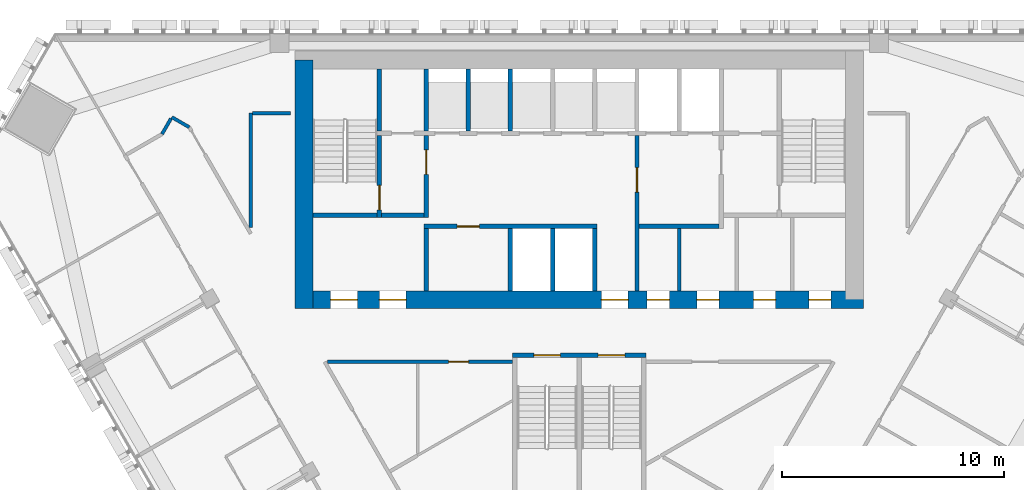
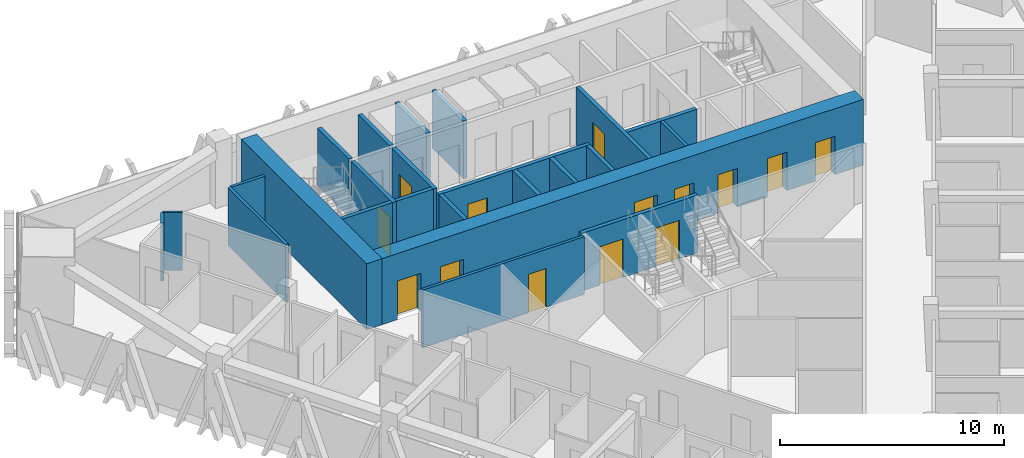
# One storey, part 11 of 16: 24 walls, 14 doors, 14 openings.
"""IFC4 building model written with IfcOpenShell, lengths in metres."""

from ifc_helpers import new_model, si_unit, direction, frame, frame_2d, origin, place, context, subcontext, project, spatial, rectangle, extrude, material, layer, layer_set, type_object, element, fill, save


model = new_model("IFC4")

# Units and contexts
model_context = context("Model", 3, precision=1e-05, world=origin(), true_north=direction((0.0, 1.0)))
body_context = subcontext(model_context, "Body", "Model", "MODEL_VIEW")
ifc_project = project(units=[si_unit("LENGTHUNIT", "METRE"), si_unit("AREAUNIT", "SQUARE_METRE"), si_unit("VOLUMEUNIT", "CUBIC_METRE"), si_unit("PLANEANGLEUNIT", "RADIAN"), si_unit("MASSUNIT", "GRAM", prefix="KILO")], contexts=[model_context])

# Site, building, storey
site_placement = place(None, origin())
site = spatial("IfcSite", under=ifc_project, at=site_placement, CompositionType="ELEMENT")
building_placement = place(site_placement, origin())
building = spatial("IfcBuilding", under=site, at=building_placement, Name="Altiplano Prism Tower", CompositionType="ELEMENT")
storey_placement = place(building_placement, frame((0.0, 0.0, 145.800048828125)))
storey = spatial("IfcBuildingStorey", under=building, at=storey_placement, Name="L37", CompositionType="ELEMENT", Elevation=145.800048828125)

# Wall, openings, doors
ifc_material_1 = material(Name="Concrete C60/75", Category="concrete")
ifc_layer_1 = layer(ifc_material_1, 0.800048828125)
ifc_layer_set_1 = layer_set([ifc_layer_1], Name="Concrete C60/75")
wall_type_1 = type_object("IfcWallType", Name="Core wall 800", PredefinedType="SHEAR", material=ifc_layer_set_1)
wall_1_placement = place(storey_placement, frame((72.60009765625, 93.0, 0.0), z_axis=(0.0, 0.0, 1.0), x_axis=(1.0, 0.0, 0.0)))
wall_1 = element("IfcWall", 1, at=wall_1_placement, inside=storey, type_object=wall_type_1, Name="Core wall S L37", PredefinedType="SHEAR", context=body_context, shape_type="SweptSolid", body=[
    extrude(rectangle(XDim=25.199951171875, YDim=0.800048828125, at=frame_2d((12.60009765625, 0.0))), origin(), (0.0, 0.0, 1.0), 3.599853515625),
])
opening_1_placement = place(wall_1_placement, frame((1.199951171875, 0.0, 0.0)))
opening_1 = element("IfcOpeningElement", 2, at=opening_1_placement, cuts=wall_1, Name="Opening D3087", PredefinedType="OPENING", context=body_context, shape_type="SweptSolid", body=[
    extrude(rectangle(XDim=1.199951171875, YDim=2.10009765625, at=frame_2d((0.60009765625, 1.050048828125))), frame((0.0, 0.41064453125, 0.0), z_axis=(0.0, -1.0, 0.0), x_axis=(1.0, 0.0, 0.0)), (0.0, 0.0, 1.0), 0.821044921875),
])
opening_2_placement = place(wall_1_placement, frame((3.39990234375, 0.0, 0.0)))
opening_2 = element("IfcOpeningElement", 3, at=opening_2_placement, cuts=wall_1, Name="Opening D3088", PredefinedType="OPENING", context=body_context, shape_type="SweptSolid", body=[
    extrude(rectangle(XDim=1.199951171875, YDim=2.10009765625, at=frame_2d((0.60009765625, 1.050048828125))), frame((0.0, 0.41064453125, 0.0), z_axis=(0.0, -1.0, 0.0), x_axis=(1.0, 0.0, 0.0)), (0.0, 0.0, 1.0), 0.821044921875),
])
opening_3_placement = place(wall_1_placement, frame((13.39990234375, 0.0, 0.0)))
opening_3 = element("IfcOpeningElement", 4, at=opening_3_placement, cuts=wall_1, Name="Opening D3089", PredefinedType="OPENING", context=body_context, shape_type="SweptSolid", body=[
    extrude(rectangle(XDim=1.199951171875, YDim=2.10009765625, at=frame_2d((0.60009765625, 1.050048828125))), frame((0.0, 0.41064453125, 0.0), z_axis=(0.0, -1.0, 0.0), x_axis=(1.0, 0.0, 0.0)), (0.0, 0.0, 1.0), 0.821044921875),
])
opening_4_placement = place(wall_1_placement, frame((15.46240234375, 0.0, 0.0)))
opening_4 = element("IfcOpeningElement", 5, at=opening_4_placement, cuts=wall_1, Name="Opening D3092", PredefinedType="OPENING", context=body_context, shape_type="SweptSolid", body=[
    extrude(rectangle(XDim=1.0, YDim=2.10009765625, at=frame_2d((0.5, 1.050048828125))), frame((0.0, 0.41064453125, 0.0), z_axis=(0.0, -1.0, 0.0), x_axis=(1.0, 0.0, 0.0)), (0.0, 0.0, 1.0), 0.821044921875),
])
opening_5_placement = place(wall_1_placement, frame((17.699951171875, 0.0, 0.0)))
opening_5 = element("IfcOpeningElement", 6, at=opening_5_placement, cuts=wall_1, Name="Opening D3093", PredefinedType="OPENING", context=body_context, shape_type="SweptSolid", body=[
    extrude(rectangle(XDim=1.0, YDim=2.10009765625, at=frame_2d((0.5, 1.050048828125))), frame((0.0, 0.41064453125, 0.0), z_axis=(0.0, -1.0, 0.0), x_axis=(1.0, 0.0, 0.0)), (0.0, 0.0, 1.0), 0.821044921875),
])
opening_6_placement = place(wall_1_placement, frame((20.25, 0.0, 0.0)))
opening_6 = element("IfcOpeningElement", 7, at=opening_6_placement, cuts=wall_1, Name="Opening D3094", PredefinedType="OPENING", context=body_context, shape_type="SweptSolid", body=[
    extrude(rectangle(XDim=1.0, YDim=2.10009765625, at=frame_2d((0.5, 1.050048828125))), frame((0.0, 0.41064453125, 0.0), z_axis=(0.0, -1.0, 0.0), x_axis=(1.0, 0.0, 0.0)), (0.0, 0.0, 1.0), 0.821044921875),
])
opening_7_placement = place(wall_1_placement, frame((22.737548828125, 0.0, 0.0)))
opening_7 = element("IfcOpeningElement", 8, at=opening_7_placement, cuts=wall_1, Name="Opening D3095", PredefinedType="OPENING", context=body_context, shape_type="SweptSolid", body=[
    extrude(rectangle(XDim=1.0, YDim=2.10009765625, at=frame_2d((0.5, 1.050048828125))), frame((0.0, 0.41064453125, 0.0), z_axis=(0.0, -1.0, 0.0), x_axis=(1.0, 0.0, 0.0)), (0.0, 0.0, 1.0), 0.821044921875),
])
ifc_material_2 = material(Name="Fire-rated steel door", Category="steel")
door_type_1 = type_object("IfcDoorType", Name="Core room door 1000 x 2100", OperationType="NOTDEFINED", PredefinedType="NOTDEFINED", material=ifc_material_2)
door_1_placement = place(opening_4_placement, origin())
door_1 = element("IfcDoor", 9, at=door_1_placement, inside=storey, type_object=door_type_1, Name="Core room door D3092", OperationType="SINGLE_SWING_RIGHT", OverallHeight=2.10009765625, OverallWidth=1.0, PredefinedType="NOTDEFINED", context=body_context, shape_type="SweptSolid", body=[
    extrude(rectangle(XDim=1.0, YDim=2.10009765625, at=frame_2d((0.5, 1.050048828125))), frame((0.0, 0.02490234375, 0.0), z_axis=(0.0, -1.0, 0.0), x_axis=(1.0, 0.0, 0.0)), (0.0, 0.0, 1.0), 0.050048828125),
])
fill(opening_4, door_1)
door_2_placement = place(opening_5_placement, origin())
door_2 = element("IfcDoor", 10, at=door_2_placement, inside=storey, type_object=door_type_1, Name="Core room door D3093", OperationType="SINGLE_SWING_LEFT", OverallHeight=2.10009765625, OverallWidth=1.0, PredefinedType="NOTDEFINED", context=body_context, shape_type="SweptSolid", body=[
    extrude(rectangle(XDim=1.0, YDim=2.10009765625, at=frame_2d((0.5, 1.050048828125))), frame((0.0, 0.02490234375, 0.0), z_axis=(0.0, -1.0, 0.0), x_axis=(1.0, 0.0, 0.0)), (0.0, 0.0, 1.0), 0.050048828125),
])
fill(opening_5, door_2)
door_3_placement = place(opening_6_placement, origin())
door_3 = element("IfcDoor", 11, at=door_3_placement, inside=storey, type_object=door_type_1, Name="Core room door D3094", OperationType="SINGLE_SWING_RIGHT", OverallHeight=2.10009765625, OverallWidth=1.0, PredefinedType="NOTDEFINED", context=body_context, shape_type="SweptSolid", body=[
    extrude(rectangle(XDim=1.0, YDim=2.10009765625, at=frame_2d((0.5, 1.050048828125))), frame((0.0, 0.02490234375, 0.0), z_axis=(0.0, -1.0, 0.0), x_axis=(1.0, 0.0, 0.0)), (0.0, 0.0, 1.0), 0.050048828125),
])
fill(opening_6, door_3)
door_4_placement = place(opening_7_placement, origin())
door_4 = element("IfcDoor", 12, at=door_4_placement, inside=storey, type_object=door_type_1, Name="Core room door D3095", OperationType="SINGLE_SWING_LEFT", OverallHeight=2.10009765625, OverallWidth=1.0, PredefinedType="NOTDEFINED", context=body_context, shape_type="SweptSolid", body=[
    extrude(rectangle(XDim=1.0, YDim=2.10009765625, at=frame_2d((0.5, 1.050048828125))), frame((0.0, 0.02490234375, 0.0), z_axis=(0.0, -1.0, 0.0), x_axis=(1.0, 0.0, 0.0)), (0.0, 0.0, 1.0), 0.050048828125),
])
fill(opening_7, door_4)
door_type_2 = type_object("IfcDoorType", Name="Lobby fire door 1200 x 2100", OperationType="NOTDEFINED", PredefinedType="NOTDEFINED", material=ifc_material_2)
door_5_placement = place(opening_1_placement, origin())
door_5 = element("IfcDoor", 13, at=door_5_placement, inside=storey, type_object=door_type_2, Name="Lobby fire door D3087", OperationType="SINGLE_SWING_RIGHT", OverallHeight=2.10009765625, OverallWidth=1.199951171875, PredefinedType="NOTDEFINED", context=body_context, shape_type="SweptSolid", body=[
    extrude(rectangle(XDim=1.199951171875, YDim=2.10009765625, at=frame_2d((0.60009765625, 1.050048828125))), frame((0.0, 0.02490234375, 0.0), z_axis=(0.0, -1.0, 0.0), x_axis=(1.0, 0.0, 0.0)), (0.0, 0.0, 1.0), 0.050048828125),
])
fill(opening_1, door_5)
door_6_placement = place(opening_2_placement, origin())
door_6 = element("IfcDoor", 14, at=door_6_placement, inside=storey, type_object=door_type_2, Name="Lobby fire door D3088", OperationType="SINGLE_SWING_LEFT", OverallHeight=2.10009765625, OverallWidth=1.199951171875, PredefinedType="NOTDEFINED", context=body_context, shape_type="SweptSolid", body=[
    extrude(rectangle(XDim=1.199951171875, YDim=2.10009765625, at=frame_2d((0.60009765625, 1.050048828125))), frame((0.0, 0.02490234375, 0.0), z_axis=(0.0, -1.0, 0.0), x_axis=(1.0, 0.0, 0.0)), (0.0, 0.0, 1.0), 0.050048828125),
])
fill(opening_2, door_6)
door_7_placement = place(opening_3_placement, origin())
door_7 = element("IfcDoor", 15, at=door_7_placement, inside=storey, type_object=door_type_2, Name="Lobby fire door D3089", OperationType="SINGLE_SWING_RIGHT", OverallHeight=2.10009765625, OverallWidth=1.199951171875, PredefinedType="NOTDEFINED", context=body_context, shape_type="SweptSolid", body=[
    extrude(rectangle(XDim=1.199951171875, YDim=2.10009765625, at=frame_2d((0.60009765625, 1.050048828125))), frame((0.0, 0.02490234375, 0.0), z_axis=(0.0, -1.0, 0.0), x_axis=(1.0, 0.0, 0.0)), (0.0, 0.0, 1.0), 0.050048828125),
])
fill(opening_3, door_7)

# Wall
wall_2_placement = place(storey_placement, frame((72.60009765625, 103.800048828125, 0.0), z_axis=(0.0, 0.0, 1.0), x_axis=(0.0, -1.0, 0.0)))
element("IfcWall", 16, at=wall_2_placement, inside=storey, type_object=wall_type_1, Name="Core wall W L37", PredefinedType="SHEAR", context=body_context, shape_type="SweptSolid", body=[
    extrude(rectangle(XDim=11.199951171875, YDim=0.800048828125, at=frame_2d((5.60009765625, 0.0))), origin(), (0.0, 0.0, 1.0), 3.599853515625),
])

# Wall, opening, door
ifc_material_3 = material(Name="Plasterboard on steel stud", Category="steel")
ifc_layer_2 = layer(ifc_material_3, 0.14990234375)
ifc_layer_set_2 = layer_set([ifc_layer_2], Name="Plasterboard on steel stud")
wall_type_2 = type_object("IfcWallType", Name="Partition 150 corridor", PredefinedType="PARTITIONING", material=ifc_layer_set_2)
wall_3_placement = place(storey_placement, frame((73.666015625, 90.199951171875, 0.0), z_axis=(0.0, 0.0, 1.0), x_axis=(1.0, 0.0, 0.0)))
wall_3 = element("IfcWall", 17, at=wall_3_placement, inside=storey, type_object=wall_type_2, Name="Partition P06 L37 001", PredefinedType="PARTITIONING", context=body_context, shape_type="SweptSolid", body=[
    extrude(rectangle(XDim=8.333984375, YDim=0.14990234375, at=frame_2d((4.1669921875, 0.0))), origin(), (0.0, 0.0, 1.0), 3.14990234375),
])
opening_8_placement = place(wall_3_placement, frame((5.451904296875, 0.0, 0.0)))
opening_8 = element("IfcOpeningElement", 18, at=opening_8_placement, cuts=wall_3, Name="Opening D1331", PredefinedType="OPENING", context=body_context, shape_type="SweptSolid", body=[
    extrude(rectangle(XDim=0.89990234375, YDim=2.10009765625, at=frame_2d((0.449951171875, 1.050048828125))), frame((0.0, 0.08544921875, 0.0), z_axis=(0.0, -1.0, 0.0), x_axis=(1.0, 0.0, 0.0)), (0.0, 0.0, 1.0), 0.1708984375),
])
ifc_material_4 = material(Name="Timber", Category="wood")
door_type_3 = type_object("IfcDoorType", Name="Toilet door 900 x 2100", OperationType="NOTDEFINED", PredefinedType="NOTDEFINED", material=ifc_material_4)
door_8_placement = place(opening_8_placement, origin())
door_8 = element("IfcDoor", 19, at=door_8_placement, inside=storey, type_object=door_type_3, Name="Door D1331", OperationType="SINGLE_SWING_LEFT", OverallHeight=2.10009765625, OverallWidth=0.89990234375, PredefinedType="NOTDEFINED", context=body_context, shape_type="SweptSolid", body=[
    extrude(rectangle(XDim=0.89990234375, YDim=2.10009765625, at=frame_2d((0.449951171875, 1.050048828125))), frame((0.0, 0.02490234375, 0.0), z_axis=(0.0, -1.0, 0.0), x_axis=(1.0, 0.0, 0.0)), (0.0, 0.0, 1.0), 0.050048828125),
])
fill(opening_8, door_8)

# Walls
wall_4_placement = place(storey_placement, frame((72.0, 101.39990234375, 0.0), z_axis=(0.0, 0.0, 1.0), x_axis=(-1.0, 0.0, 0.0)))
element("IfcWall", 20, at=wall_4_placement, inside=storey, type_object=wall_type_2, Name="Partition P06 L37 012", PredefinedType="PARTITIONING", context=body_context, shape_type="SweptSolid", body=[
    extrude(rectangle(XDim=1.72509765625, YDim=0.14990234375, at=frame_2d((0.862548828125, 0.0))), origin(), (0.0, 0.0, 1.0), 3.14990234375),
])
wall_5_placement = place(storey_placement, frame((70.199951171875, 101.39990234375, 0.0), z_axis=(0.0, 0.0, 1.0), x_axis=(0.0, -1.0, 0.0)))
element("IfcWall", 21, at=wall_5_placement, inside=storey, type_object=wall_type_2, Name="Partition P06 L37 013", PredefinedType="PARTITIONING", context=body_context, shape_type="SweptSolid", body=[
    extrude(rectangle(XDim=5.1416015625, YDim=0.14990234375, at=frame_2d((2.57080078125, 0.0))), origin(), (0.0, 0.0, 1.0), 3.14990234375),
])
wall_6_placement = place(storey_placement, frame((67.433837890625, 100.769287109375, 0.0), z_axis=(0.0, 0.0, 1.0), x_axis=(-0.865970996668, 0.500094224052, 0.0)))
element("IfcWall", 22, at=wall_6_placement, inside=storey, type_object=wall_type_2, Name="Partition P06 L37 015", PredefinedType="PARTITIONING", context=body_context, shape_type="SweptSolid", body=[
    extrude(rectangle(XDim=0.909423828125, YDim=0.14990234375, at=frame_2d((0.45458984375, 0.0))), origin(), (0.0, 0.0, 1.0), 3.14990234375),
])
wall_7_placement = place(storey_placement, frame((66.608642578125, 101.1591796875, 0.0), z_axis=(0.0, 0.0, 1.0), x_axis=(-0.499914554297, -0.866074730264, 0.0)))
element("IfcWall", 23, at=wall_7_placement, inside=storey, type_object=wall_type_2, Name="Partition P06 L37 016", PredefinedType="PARTITIONING", context=body_context, shape_type="SweptSolid", body=[
    extrude(rectangle(XDim=0.806884765625, YDim=0.14990234375, at=frame_2d((0.4033203125, 0.0))), origin(), (0.0, 0.0, 1.0), 3.14990234375),
])
ifc_material_5 = material(Name="Fire-rated gypsum board partition")
ifc_layer_3 = layer(ifc_material_5, 0.14990234375)
ifc_layer_set_3 = layer_set([ifc_layer_3], Name="Fire-rated gypsum board partition")
wall_type_3 = type_object("IfcWallType", Name="Room partition 150", PredefinedType="PARTITIONING", material=ifc_layer_set_3)
wall_8_placement = place(storey_placement, frame((89.5, 93.39990234375, 0.0), z_axis=(0.0, 0.0, 1.0), x_axis=(0.0, 1.0, 0.0)))
element("IfcWall", 24, at=wall_8_placement, inside=storey, type_object=wall_type_3, Name="Room partition L37", PredefinedType="PARTITIONING", context=body_context, shape_type="SweptSolid", body=[
    extrude(rectangle(XDim=2.800048828125, YDim=0.14990234375, at=frame_2d((1.39990234375, 0.0))), origin(), (0.0, 0.0, 1.0), 3.14990234375),
])
ifc_layer_4 = layer(ifc_material_1, 0.199951171875)
ifc_layer_set_4 = layer_set([ifc_layer_4], Name="Concrete C60/75")
wall_type_4 = type_object("IfcWallType", Name="Shaft wall 200", PredefinedType="SOLIDWALL", material=ifc_layer_set_4)
for number, where, z_axis, x_axis, name in (
    (25, (81.89990234375, 93.39990234375, 0.0), (0.0, 0.0, 1.0), (0.0, 1.0, 0.0), "Shaft wall L37"),
    (26, (83.800048828125, 93.39990234375, 0.0), (0.0, 0.0, 1.0), (0.0, 1.0, 0.0), "Shaft wall L37"),
    (27, (85.699951171875, 93.39990234375, 0.0), (0.0, 0.0, 1.0), (0.0, 1.0, 0.0), "Shaft wall L37"),
):
    element("IfcWall", number, at=place(storey_placement, frame(where, z_axis=z_axis, x_axis=x_axis)), inside=storey, type_object=wall_type_4, Name=name, PredefinedType="SOLIDWALL", context=body_context, shape_type="SweptSolid", body=[
        extrude(rectangle(XDim=2.800048828125, YDim=0.199951171875, at=frame_2d((1.39990234375, 0.0))), origin(), (0.0, 0.0, 1.0), 3.14990234375),
    ])

# Wall, opening, door
wall_9_placement = place(storey_placement, frame((78.0, 96.300048828125, 0.0), z_axis=(0.0, 0.0, 1.0), x_axis=(1.0, 0.0, 0.0)))
wall_9 = element("IfcWall", 28, at=wall_9_placement, inside=storey, type_object=wall_type_4, Name="Shaft wall L37", PredefinedType="SOLIDWALL", context=body_context, shape_type="SweptSolid", body=[
    extrude(rectangle(XDim=7.800048828125, YDim=0.199951171875, at=frame_2d((3.89990234375, 0.0))), origin(), (0.0, 0.0, 1.0), 3.14990234375),
])
opening_9_placement = place(wall_9_placement, frame((1.5, 0.0, 0.0)))
opening_9 = element("IfcOpeningElement", 29, at=opening_9_placement, cuts=wall_9, Name="Opening D3096", PredefinedType="OPENING", context=body_context, shape_type="SweptSolid", body=[
    extrude(rectangle(XDim=1.0, YDim=2.10009765625, at=frame_2d((0.5, 1.050048828125))), frame((0.0, 0.1103515625, 0.0), z_axis=(0.0, -1.0, 0.0), x_axis=(1.0, 0.0, 0.0)), (0.0, 0.0, 1.0), 0.220947265625),
])
door_9_placement = place(opening_9_placement, origin())
door_9 = element("IfcDoor", 30, at=door_9_placement, inside=storey, type_object=door_type_1, Name="Core room door D3096", OperationType="SINGLE_SWING_RIGHT", OverallHeight=2.10009765625, OverallWidth=1.0, PredefinedType="NOTDEFINED", context=body_context, shape_type="SweptSolid", body=[
    extrude(rectangle(XDim=1.0, YDim=2.10009765625, at=frame_2d((0.5, 1.050048828125))), frame((0.0, 0.02490234375, 0.0), z_axis=(0.0, -1.0, 0.0), x_axis=(1.0, 0.0, 0.0)), (0.0, 0.0, 1.0), 0.050048828125),
])
fill(opening_9, door_9)

# Walls
for number, where, z_axis, x_axis, name in (
    (31, (78.10009765625, 100.60009765625, 0.0), (0.0, 0.0, 1.0), (0.0, 1.0, 0.0), "Shaft wall L37"),
    (32, (80.0, 100.60009765625, 0.0), (0.0, 0.0, 1.0), (0.0, 1.0, 0.0), "Shaft wall L37"),
    (33, (81.89990234375, 100.60009765625, 0.0), (0.0, 0.0, 1.0), (0.0, 1.0, 0.0), "Shaft wall L37"),
):
    element("IfcWall", number, at=place(storey_placement, frame(where, z_axis=z_axis, x_axis=x_axis)), inside=storey, type_object=wall_type_4, Name=name, PredefinedType="SOLIDWALL", context=body_context, shape_type="SweptSolid", body=[
        extrude(rectangle(XDim=2.7998046875, YDim=0.199951171875, at=frame_2d((1.39990234375, 0.0))), origin(), (0.0, 0.0, 1.0), 3.14990234375),
    ])
ifc_layer_5 = layer(ifc_material_1, 0.199951171875)
ifc_layer_set_5 = layer_set([ifc_layer_5], Name="Concrete C60/75")
wall_type_5 = type_object("IfcWallType", Name="Stair wall 200", PredefinedType="SOLIDWALL", material=ifc_layer_set_5)
wall_10_placement = place(storey_placement, frame((73.0, 96.800048828125, 0.0), z_axis=(0.0, 0.0, 1.0), x_axis=(1.0, 0.0, 0.0)))
element("IfcWall", 34, at=wall_10_placement, inside=storey, type_object=wall_type_5, Name="Stair wall L37", PredefinedType="SOLIDWALL", context=body_context, shape_type="SweptSolid", body=[
    extrude(rectangle(XDim=2.89990234375, YDim=0.199951171875, at=frame_2d((1.449951171875, 0.0))), origin(), (0.0, 0.0, 1.0), 3.14990234375),
])

# Wall, opening, door
wall_11_placement = place(storey_placement, frame((76.0, 96.699951171875, 0.0), z_axis=(0.0, 0.0, 1.0), x_axis=(0.0, 1.0, 0.0)))
wall_11 = element("IfcWall", 35, at=wall_11_placement, inside=storey, type_object=wall_type_5, Name="Stair wall L37", PredefinedType="SOLIDWALL", context=body_context, shape_type="SweptSolid", body=[
    extrude(rectangle(XDim=3.699951171875, YDim=0.199951171875, at=frame_2d((1.85009765625, 0.0))), origin(), (0.0, 0.0, 1.0), 3.14990234375),
])
opening_10_placement = place(wall_11_placement, frame((0.35009765625, 0.0, 0.0)))
opening_10 = element("IfcOpeningElement", 36, at=opening_10_placement, cuts=wall_11, Name="Opening D3082", PredefinedType="OPENING", context=body_context, shape_type="SweptSolid", body=[
    extrude(rectangle(XDim=1.10009765625, YDim=2.10009765625, at=frame_2d((0.550048828125, 1.050048828125))), frame((0.0, 0.1103515625, 0.0), z_axis=(0.0, -1.0, 0.0), x_axis=(1.0, 0.0, 0.0)), (0.0, 0.0, 1.0), 0.220947265625),
])
door_type_4 = type_object("IfcDoorType", Name="Stair fire door 1100 x 2100", OperationType="NOTDEFINED", PredefinedType="NOTDEFINED", material=ifc_material_2)
door_10_placement = place(opening_10_placement, origin())
door_10 = element("IfcDoor", 37, at=door_10_placement, inside=storey, type_object=door_type_4, Name="Stair fire door D3082", OperationType="SINGLE_SWING_RIGHT", OverallHeight=2.10009765625, OverallWidth=1.10009765625, PredefinedType="NOTDEFINED", context=body_context, shape_type="SweptSolid", body=[
    extrude(rectangle(XDim=1.10009765625, YDim=2.10009765625, at=frame_2d((0.550048828125, 1.050048828125))), frame((0.0, 0.02490234375, 0.0), z_axis=(0.0, -1.0, 0.0), x_axis=(1.0, 0.0, 0.0)), (0.0, 0.0, 1.0), 0.050048828125),
])
fill(opening_10, door_10)

# Wall
wall_12_placement = place(storey_placement, frame((76.0, 100.60009765625, 0.0), z_axis=(0.0, 0.0, 1.0), x_axis=(0.0, 1.0, 0.0)))
element("IfcWall", 38, at=wall_12_placement, inside=storey, type_object=wall_type_5, Name="Stair wall L37", PredefinedType="SOLIDWALL", context=body_context, shape_type="SweptSolid", body=[
    extrude(rectangle(XDim=2.7998046875, YDim=0.199951171875, at=frame_2d((1.39990234375, 0.0))), origin(), (0.0, 0.0, 1.0), 3.14990234375),
])

# Wall, openings, doors
wall_13_placement = place(storey_placement, frame((82.0, 90.5, 0.0), z_axis=(0.0, 0.0, 1.0), x_axis=(1.0, 0.0, 0.0)))
wall_13 = element("IfcWall", 39, at=wall_13_placement, inside=storey, type_object=wall_type_5, Name="Stair 3 wall north L37", PredefinedType="SOLIDWALL", context=body_context, shape_type="SweptSolid", body=[
    extrude(rectangle(XDim=6.0, YDim=0.199951171875, at=frame_2d((3.0, 0.0))), origin(), (0.0, 0.0, 1.0), 3.14990234375),
])
opening_11_placement = place(wall_13_placement, frame((0.949951171875, 0.0, 0.0)))
opening_11 = element("IfcOpeningElement", 40, at=opening_11_placement, cuts=wall_13, Name="Opening D3996", PredefinedType="OPENING", context=body_context, shape_type="SweptSolid", body=[
    extrude(rectangle(XDim=1.199951171875, YDim=2.10009765625, at=frame_2d((0.60009765625, 1.050048828125))), frame((0.0, 0.1103515625, 0.0), z_axis=(0.0, -1.0, 0.0), x_axis=(1.0, 0.0, 0.0)), (0.0, 0.0, 1.0), 0.220947265625),
])
opening_12_placement = place(wall_13_placement, frame((3.85009765625, 0.0, 0.0)))
opening_12 = element("IfcOpeningElement", 41, at=opening_12_placement, cuts=wall_13, Name="Opening D3997", PredefinedType="OPENING", context=body_context, shape_type="SweptSolid", body=[
    extrude(rectangle(XDim=1.199951171875, YDim=2.10009765625, at=frame_2d((0.60009765625, 1.050048828125))), frame((0.0, 0.1103515625, 0.0), z_axis=(0.0, -1.0, 0.0), x_axis=(1.0, 0.0, 0.0)), (0.0, 0.0, 1.0), 0.220947265625),
])
door_type_5 = type_object("IfcDoorType", Name="Stair fire door 1200 x 2100", OperationType="NOTDEFINED", PredefinedType="NOTDEFINED", material=ifc_material_2)
door_11_placement = place(opening_11_placement, origin())
door_11 = element("IfcDoor", 42, at=door_11_placement, inside=storey, type_object=door_type_5, Name="Stair fire door D3996", OperationType="SINGLE_SWING_LEFT", OverallHeight=2.10009765625, OverallWidth=1.199951171875, PredefinedType="NOTDEFINED", context=body_context, shape_type="SweptSolid", body=[
    extrude(rectangle(XDim=1.199951171875, YDim=2.10009765625, at=frame_2d((0.60009765625, 1.050048828125))), frame((0.0, 0.02490234375, 0.0), z_axis=(0.0, -1.0, 0.0), x_axis=(1.0, 0.0, 0.0)), (0.0, 0.0, 1.0), 0.050048828125),
])
fill(opening_11, door_11)
door_12_placement = place(opening_12_placement, origin())
door_12 = element("IfcDoor", 43, at=door_12_placement, inside=storey, type_object=door_type_5, Name="Stair fire door D3997", OperationType="SINGLE_SWING_LEFT", OverallHeight=2.10009765625, OverallWidth=1.199951171875, PredefinedType="NOTDEFINED", context=body_context, shape_type="SweptSolid", body=[
    extrude(rectangle(XDim=1.199951171875, YDim=2.10009765625, at=frame_2d((0.60009765625, 1.050048828125))), frame((0.0, 0.02490234375, 0.0), z_axis=(0.0, -1.0, 0.0), x_axis=(1.0, 0.0, 0.0)), (0.0, 0.0, 1.0), 0.050048828125),
])
fill(opening_12, door_12)

# Wall
ifc_layer_6 = layer(ifc_material_1, 0.199951171875)
ifc_layer_set_6 = layer_set([ifc_layer_6], Name="Concrete C60/75")
wall_type_6 = type_object("IfcWallType", Name="Vestibule wall 200", PredefinedType="PARTITIONING", material=ifc_layer_set_6)
wall_14_placement = place(storey_placement, frame((78.10009765625, 93.39990234375, 0.0), z_axis=(0.0, 0.0, 1.0), x_axis=(0.0, 1.0, 0.0)))
element("IfcWall", 44, at=wall_14_placement, inside=storey, type_object=wall_type_6, Name="Vestibule wall L37", PredefinedType="PARTITIONING", context=body_context, shape_type="SweptSolid", body=[
    extrude(rectangle(XDim=2.800048828125, YDim=0.199951171875, at=frame_2d((1.39990234375, 0.0))), origin(), (0.0, 0.0, 1.0), 3.14990234375),
])

# Wall, opening, door
wall_15_placement = place(storey_placement, frame((87.60009765625, 93.39990234375, 0.0), z_axis=(0.0, 0.0, 1.0), x_axis=(0.0, 1.0, 0.0)))
wall_15 = element("IfcWall", 45, at=wall_15_placement, inside=storey, type_object=wall_type_6, Name="Vestibule wall L37", PredefinedType="PARTITIONING", context=body_context, shape_type="SweptSolid", body=[
    extrude(rectangle(XDim=7.0, YDim=0.199951171875, at=frame_2d((3.5, 0.0))), origin(), (0.0, 0.0, 1.0), 3.14990234375),
])
opening_13_placement = place(wall_15_placement, frame((4.449951171875, 0.0, 0.0)))
opening_13 = element("IfcOpeningElement", 46, at=opening_13_placement, cuts=wall_15, Name="Opening D3085", PredefinedType="OPENING", context=body_context, shape_type="SweptSolid", body=[
    extrude(rectangle(XDim=1.10009765625, YDim=2.10009765625, at=frame_2d((0.550048828125, 1.050048828125))), frame((0.0, 0.1103515625, 0.0), z_axis=(0.0, -1.0, 0.0), x_axis=(1.0, 0.0, 0.0)), (0.0, 0.0, 1.0), 0.220947265625),
])
door_type_6 = type_object("IfcDoorType", Name="Vestibule fire door 1100 x 2100", OperationType="NOTDEFINED", PredefinedType="NOTDEFINED", material=ifc_material_2)
door_13_placement = place(opening_13_placement, origin())
door_13 = element("IfcDoor", 47, at=door_13_placement, inside=storey, type_object=door_type_6, Name="Vestibule fire door D3085", OperationType="SINGLE_SWING_RIGHT", OverallHeight=2.10009765625, OverallWidth=1.10009765625, PredefinedType="NOTDEFINED", context=body_context, shape_type="SweptSolid", body=[
    extrude(rectangle(XDim=1.10009765625, YDim=2.10009765625, at=frame_2d((0.550048828125, 1.050048828125))), frame((0.0, 0.02490234375, 0.0), z_axis=(0.0, -1.0, 0.0), x_axis=(1.0, 0.0, 0.0)), (0.0, 0.0, 1.0), 0.050048828125),
])
fill(opening_13, door_13)

# Walls
wall_16_placement = place(storey_placement, frame((87.699951171875, 96.300048828125, 0.0), z_axis=(0.0, 0.0, 1.0), x_axis=(1.0, 0.0, 0.0)))
element("IfcWall", 48, at=wall_16_placement, inside=storey, type_object=wall_type_6, Name="Vestibule wall L37", PredefinedType="PARTITIONING", context=body_context, shape_type="SweptSolid", body=[
    extrude(rectangle(XDim=3.60009765625, YDim=0.199951171875, at=frame_2d((1.800048828125, 0.0))), origin(), (0.0, 0.0, 1.0), 3.14990234375),
])
wall_17_placement = place(storey_placement, frame((76.10009765625, 96.800048828125, 0.0), z_axis=(0.0, 0.0, 1.0), x_axis=(1.0, 0.0, 0.0)))
element("IfcWall", 49, at=wall_17_placement, inside=storey, type_object=wall_type_6, Name="Vestibule wall L37", PredefinedType="PARTITIONING", context=body_context, shape_type="SweptSolid", body=[
    extrude(rectangle(XDim=1.89990234375, YDim=0.199951171875, at=frame_2d((0.949951171875, 0.0))), origin(), (0.0, 0.0, 1.0), 3.14990234375),
])

# Wall, opening, door
wall_18_placement = place(storey_placement, frame((78.10009765625, 96.699951171875, 0.0), z_axis=(0.0, 0.0, 1.0), x_axis=(0.0, 1.0, 0.0)))
wall_18 = element("IfcWall", 50, at=wall_18_placement, inside=storey, type_object=wall_type_6, Name="Vestibule wall L37", PredefinedType="PARTITIONING", context=body_context, shape_type="SweptSolid", body=[
    extrude(rectangle(XDim=3.699951171875, YDim=0.199951171875, at=frame_2d((1.85009765625, 0.0))), origin(), (0.0, 0.0, 1.0), 3.14990234375),
])
opening_14_placement = place(wall_18_placement, frame((1.949951171875, 0.0, 0.0)))
opening_14 = element("IfcOpeningElement", 51, at=opening_14_placement, cuts=wall_18, Name="Opening D3084", PredefinedType="OPENING", context=body_context, shape_type="SweptSolid", body=[
    extrude(rectangle(XDim=1.10009765625, YDim=2.10009765625, at=frame_2d((0.550048828125, 1.050048828125))), frame((0.0, 0.1103515625, 0.0), z_axis=(0.0, -1.0, 0.0), x_axis=(1.0, 0.0, 0.0)), (0.0, 0.0, 1.0), 0.220947265625),
])
door_14_placement = place(opening_14_placement, origin())
door_14 = element("IfcDoor", 52, at=door_14_placement, inside=storey, type_object=door_type_6, Name="Vestibule fire door D3084", OperationType="SINGLE_SWING_LEFT", OverallHeight=2.10009765625, OverallWidth=1.10009765625, PredefinedType="NOTDEFINED", context=body_context, shape_type="SweptSolid", body=[
    extrude(rectangle(XDim=1.10009765625, YDim=2.10009765625, at=frame_2d((0.550048828125, 1.050048828125))), frame((0.0, 0.02490234375, 0.0), z_axis=(0.0, -1.0, 0.0), x_axis=(1.0, 0.0, 0.0)), (0.0, 0.0, 1.0), 0.050048828125),
])
fill(opening_14, door_14)

save(model, "model.ifc")
